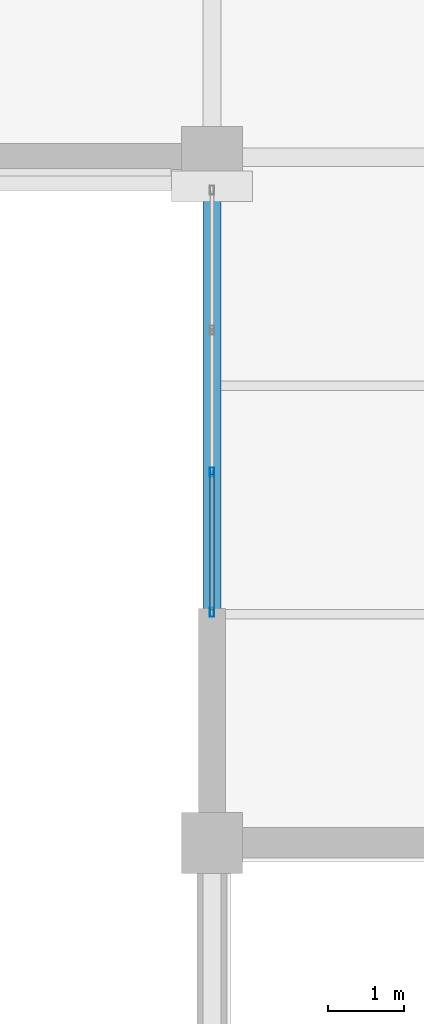
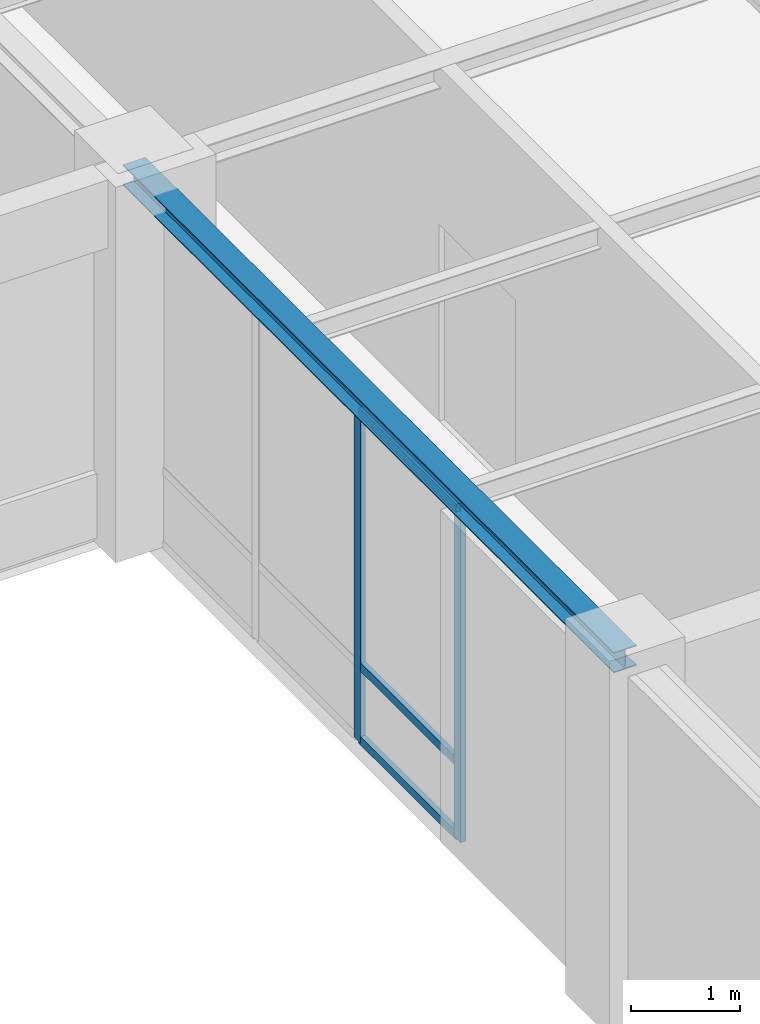
# One storey, part 14 of 97: 5 members, 1 beam, 1 element without a shape of its own.
"""IFC4 building model written with IfcOpenShell, lengths in metres."""

from ifc_helpers import new_model, si_unit, direction, frame, origin, origin_2d, place, context, subcontext, project, spatial, hollow_rectangle, i_section, extrude, material, material_profile, profile_set, type_object, element, aggregate, save


model = new_model("IFC4")

# Units and contexts
model_context = context("Model", 3, precision=1e-05, world=origin(), true_north=direction((0.0, 1.0)))
body_context = subcontext(model_context, "Body", "Model", "MODEL_VIEW")
ifc_project = project(units=[si_unit("LENGTHUNIT", "METRE"), si_unit("AREAUNIT", "SQUARE_METRE"), si_unit("VOLUMEUNIT", "CUBIC_METRE"), si_unit("PLANEANGLEUNIT", "RADIAN"), si_unit("MASSUNIT", "GRAM", prefix="KILO")], contexts=[model_context])

# Site, building, storey
site_placement = place(None, origin())
site = spatial("IfcSite", under=ifc_project, at=site_placement, CompositionType="ELEMENT")
building_placement = place(site_placement, origin())
building = spatial("IfcBuilding", under=site, at=building_placement, Name="Lykobir Media Centre", CompositionType="ELEMENT")
storey_placement = place(building_placement, frame((0.0, 0.0, 23.39990234375)))
storey = spatial("IfcBuildingStorey", under=building, at=storey_placement, Name="L05", CompositionType="ELEMENT", Elevation=23.39990234375)

# Curtain wall, members
ifc_material_1 = material(Name="Anodized Aluminium AW-6060", Category="aluminium")
curtain_wall_type = type_object("IfcCurtainWallType", Name="CW-COURT-B", PredefinedType="NOTDEFINED", material=ifc_material_1)
curtain_wall_placement = place(storey_placement, origin())
curtain_wall = element("IfcCurtainWall", 1, at=curtain_wall_placement, inside=storey, type_object=curtain_wall_type, Name="Curtain wall CW2-L05-0203", PredefinedType="NOTDEFINED")
ifc_material_profile_1 = material_profile(ifc_material_1, hollow_rectangle(XDim=0.054931640625, YDim=0.1201171875, WallThickness=0.003173828125, at=origin_2d()), Name="ALU MULLION 55x120")
ifc_profile_set_1 = profile_set([ifc_material_profile_1], Name="Anodized Aluminium AW-6060")
member_type_1 = type_object("IfcMemberType", Name="CWM-120", PredefinedType="MULLION", material=ifc_profile_set_1)
member_1_placement = place(storey_placement, frame((27.0, 21.027587890625, 0.0), z_axis=(0.0, 0.0, 1.0), x_axis=(-1.0, 0.0, 0.0)))
member_1 = element("IfcMember", 2, at=member_1_placement, type_object=member_type_1, Name="CW2-L05-0203 mullion 1", PredefinedType="MULLION", context=body_context, shape_type="SweptSolid", body=[
    extrude(hollow_rectangle(XDim=0.054931640625, YDim=0.1201171875, WallThickness=0.003173828125, at=origin_2d()), origin(), (0.0, 0.0, 1.0), 3.715087890625),
])
member_2_placement = place(storey_placement, frame((27.0, 22.864990234375, 0.0), z_axis=(0.0, 0.0, 1.0), x_axis=(-1.0, 0.0, 0.0)))
member_2 = element("IfcMember", 3, at=member_2_placement, type_object=member_type_1, Name="CW2-L05-0203 mullion 2", PredefinedType="MULLION", context=body_context, shape_type="SweptSolid", body=[
    extrude(hollow_rectangle(XDim=0.054931640625, YDim=0.1201171875, WallThickness=0.003173828125, at=origin_2d()), origin(), (0.0, 0.0, 1.0), 3.715087890625),
])
ifc_material_profile_2 = material_profile(ifc_material_1, hollow_rectangle(XDim=0.054931640625, YDim=0.094970703125, WallThickness=0.0029296875, at=origin_2d()), Name="ALU TRANSOM 55x95")
ifc_profile_set_2 = profile_set([ifc_material_profile_2], Name="Anodized Aluminium AW-6060")
member_type_2 = type_object("IfcMemberType", Name="CWT-095", PredefinedType="USERDEFINED", material=ifc_profile_set_2)
member_3_placement = place(storey_placement, frame((27.0, 21.054931640625, 0.027587890625), z_axis=(0.0, 1.0, 0.0), x_axis=(-1.0, 0.0, 0.0)))
member_3 = element("IfcMember", 4, at=member_3_placement, type_object=member_type_2, Name="CW2-L05-0203 transom 1.1", ObjectType="TRANSOM", PredefinedType="USERDEFINED", context=body_context, shape_type="SweptSolid", body=[
    extrude(hollow_rectangle(XDim=0.054931640625, YDim=0.094970703125, WallThickness=0.0029296875, at=origin_2d()), origin(), (0.0, 0.0, 1.0), 1.782470703125),
])
member_4_placement = place(storey_placement, frame((27.0, 21.054931640625, 0.85009765625), z_axis=(0.0, 1.0, 0.0), x_axis=(-1.0, 0.0, 0.0)))
member_4 = element("IfcMember", 5, at=member_4_placement, type_object=member_type_2, Name="CW2-L05-0203 transom 1.2", ObjectType="TRANSOM", PredefinedType="USERDEFINED", context=body_context, shape_type="SweptSolid", body=[
    extrude(hollow_rectangle(XDim=0.054931640625, YDim=0.094970703125, WallThickness=0.0029296875, at=origin_2d()), origin(), (0.0, 0.0, 1.0), 1.782470703125),
])
member_5_placement = place(storey_placement, frame((27.0, 21.054931640625, 3.6875), z_axis=(0.0, 1.0, 0.0), x_axis=(-1.0, 0.0, 0.0)))
member_5 = element("IfcMember", 6, at=member_5_placement, type_object=member_type_2, Name="CW2-L05-0203 transom 1.3", ObjectType="TRANSOM", PredefinedType="USERDEFINED", context=body_context, shape_type="SweptSolid", body=[
    extrude(hollow_rectangle(XDim=0.054931640625, YDim=0.094970703125, WallThickness=0.0029296875, at=origin_2d()), origin(), (0.0, 0.0, 1.0), 1.782470703125),
])
aggregate(curtain_wall, [member_1, member_2, member_3, member_4, member_5])

# Beam
ifc_material_2 = material(Name="Steel S355", Category="steel")
ifc_material_profile_3 = material_profile(ifc_material_2, i_section(OverallWidth=0.239990234375, OverallDepth=0.22998046875, WebThickness=0.007568359375, FlangeThickness=0.011962890625, at=origin_2d()), Name="HEA 240")
ifc_profile_set_3 = profile_set([ifc_material_profile_3], Name="Steel S355")
beam_type = type_object("IfcBeamType", Name="SP-HEA240", PredefinedType="SPANDREL", material=ifc_profile_set_3)
beam_placement = place(storey_placement, frame((27.0, 18.0, 3.84521484375), z_axis=(0.0, 1.0, 0.0), x_axis=(-1.0, 0.0, 0.0)))
element("IfcBeam", 7, at=beam_placement, inside=storey, type_object=beam_type, Name="Beam BM-L05-0270-0180-0270-0270-2724", PredefinedType="SPANDREL", context=body_context, shape_type="SweptSolid", body=[
    extrude(i_section(OverallWidth=0.239990234375, OverallDepth=0.22998046875, WebThickness=0.007568359375, FlangeThickness=0.011962890625, at=origin_2d()), origin(), (0.0, 0.0, 1.0), 9.0),
])

save(model, "model.ifc")
